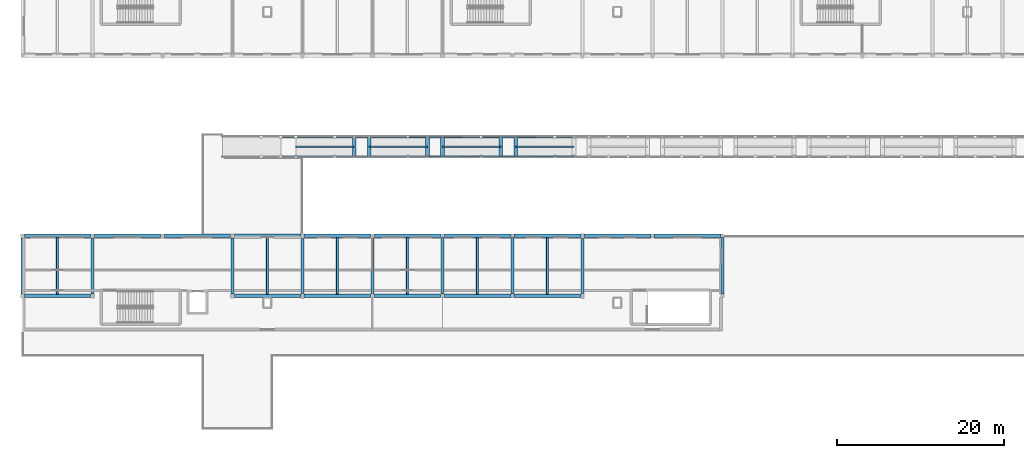
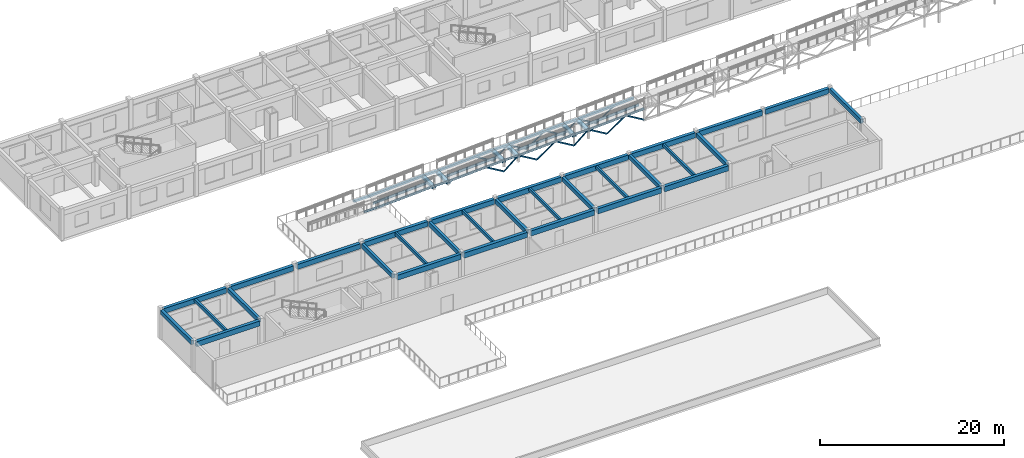
# One storey, part 8 of 41: 41 beams, 33 members.
"""IFC4 building model written with IfcOpenShell, lengths in metres."""

from ifc_helpers import new_model, si_unit, direction, frame, origin, origin_2d, place, context, subcontext, project, spatial, rectangle, hollow_rectangle, i_section, extrude, material, material_profile, profile_set, type_object, element, save


model = new_model("IFC4")

# Units and contexts
model_context = context("Model", 3, precision=1e-05, world=origin(), true_north=direction((0.0, 1.0)))
body_context = subcontext(model_context, "Body", "Model", "MODEL_VIEW")
ifc_project = project(units=[si_unit("LENGTHUNIT", "METRE"), si_unit("AREAUNIT", "SQUARE_METRE"), si_unit("VOLUMEUNIT", "CUBIC_METRE"), si_unit("PLANEANGLEUNIT", "RADIAN"), si_unit("MASSUNIT", "GRAM", prefix="KILO")], contexts=[model_context])

# Site, building, storey
site_placement = place(None, origin())
site = spatial("IfcSite", under=ifc_project, at=site_placement, CompositionType="ELEMENT")
building_placement = place(site_placement, origin())
building = spatial("IfcBuilding", under=site, at=building_placement, Name="Malvenik Polytechnic", CompositionType="ELEMENT")
storey_placement = place(building_placement, frame((0.0, 0.0, 17.699951171875)))
storey = spatial("IfcBuildingStorey", under=building, at=storey_placement, Name="L04", CompositionType="ELEMENT", Elevation=17.699951171875)

# Beams
ifc_material_1 = material(Name="Concrete C35/45", Category="concrete")
ifc_material_profile_1 = material_profile(ifc_material_1, rectangle(XDim=0.39990234375, YDim=0.679931640625, at=origin_2d()), Name="RC BM 400x680")
ifc_profile_set_1 = profile_set([ifc_material_profile_1], Name="Concrete C35/45")
beam_type_1 = type_object("IfcBeamType", Name="STR-BM-B-05", PredefinedType="BEAM", material=ifc_profile_set_1)
beam_1_placement = place(storey_placement, frame((0.248046875, 86.39990234375, 3.580078125), z_axis=(1.0, 0.0, 0.0), x_axis=(0.0, 1.0, 0.0)))
element("IfcBeam", 1, at=beam_1_placement, inside=storey, type_object=beam_type_1, Name="Primary Beam B-05 L04 #1827", PredefinedType="BEAM", context=body_context, shape_type="SweptSolid", body=[
    extrude(rectangle(XDim=0.39990234375, YDim=0.679931640625, at=origin_2d()), origin(), (0.0, 0.0, 1.0), 7.904052734375),
])
beam_2_placement = place(storey_placement, frame((25.447998046875, 86.39990234375, 3.580078125), z_axis=(1.0, 0.0, 0.0), x_axis=(0.0, 1.0, 0.0)))
element("IfcBeam", 2, at=beam_2_placement, inside=storey, type_object=beam_type_1, Name="Primary Beam B-05 L04 #1828", PredefinedType="BEAM", context=body_context, shape_type="SweptSolid", body=[
    extrude(rectangle(XDim=0.39990234375, YDim=0.679931640625, at=origin_2d()), origin(), (0.0, 0.0, 1.0), 7.9541015625),
])
beam_3_placement = place(storey_placement, frame((33.798095703125, 86.39990234375, 3.580078125), z_axis=(1.0, 0.0, 0.0), x_axis=(0.0, 1.0, 0.0)))
element("IfcBeam", 3, at=beam_3_placement, inside=storey, type_object=beam_type_1, Name="Primary Beam B-05 L04 #1829", PredefinedType="BEAM", context=body_context, shape_type="SweptSolid", body=[
    extrude(rectangle(XDim=0.39990234375, YDim=0.679931640625, at=origin_2d()), origin(), (0.0, 0.0, 1.0), 7.97900390625),
])
beam_4_placement = place(storey_placement, frame((42.222900390625, 86.39990234375, 3.580078125), z_axis=(1.0, 0.0, 0.0), x_axis=(0.0, 1.0, 0.0)))
element("IfcBeam", 4, at=beam_4_placement, inside=storey, type_object=beam_type_1, Name="Primary Beam B-05 L04 #1830", PredefinedType="BEAM", context=body_context, shape_type="SweptSolid", body=[
    extrude(rectangle(XDim=0.39990234375, YDim=0.679931640625, at=origin_2d()), origin(), (0.0, 0.0, 1.0), 7.9541015625),
])
beam_5_placement = place(storey_placement, frame((50.623046875, 86.39990234375, 3.580078125), z_axis=(1.0, 0.0, 0.0), x_axis=(0.0, 1.0, 0.0)))
element("IfcBeam", 5, at=beam_5_placement, inside=storey, type_object=beam_type_1, Name="Primary Beam B-05 L04 #1831", PredefinedType="BEAM", context=body_context, shape_type="SweptSolid", body=[
    extrude(rectangle(XDim=0.39990234375, YDim=0.679931640625, at=origin_2d()), origin(), (0.0, 0.0, 1.0), 7.97900390625),
])
beam_6_placement = place(storey_placement, frame((58.998046875, 86.39990234375, 3.580078125), z_axis=(1.0, 0.0, 0.0), x_axis=(0.0, 1.0, 0.0)))
element("IfcBeam", 6, at=beam_6_placement, inside=storey, type_object=beam_type_1, Name="Primary Beam B-05 L04 #1832", PredefinedType="BEAM", context=body_context, shape_type="SweptSolid", body=[
    extrude(rectangle(XDim=0.39990234375, YDim=0.679931640625, at=origin_2d()), origin(), (0.0, 0.0, 1.0), 8.00390625),
])
ifc_material_profile_2 = material_profile(ifc_material_1, rectangle(XDim=0.35009765625, YDim=0.550048828125, at=origin_2d()), Name="RC BM 350x550")
ifc_profile_set_2 = profile_set([ifc_material_profile_2], Name="Concrete C35/45")
beam_type_2 = type_object("IfcBeamType", Name="STR-BM-B-08", PredefinedType="BEAM", material=ifc_profile_set_2)
for number, where, z_axis, x_axis, name in (
    (7, (0.0, 86.64794921875, 3.64501953125), (0.0, 1.0, 0.0), (-1.0, 0.0, 0.0), "Transverse Beam B-08 L04 #1885"),
    (8, (8.39990234375, 86.64794921875, 3.64501953125), (0.0, 1.0, 0.0), (-1.0, 0.0, 0.0), "Transverse Beam B-08 L04 #1888"),
    (9, (25.199951171875, 86.64794921875, 3.64501953125), (0.0, 1.0, 0.0), (-1.0, 0.0, 0.0), "Transverse Beam B-08 L04 #1891"),
):
    element("IfcBeam", number, at=place(storey_placement, frame(where, z_axis=z_axis, x_axis=x_axis)), inside=storey, type_object=beam_type_2, Name=name, PredefinedType="BEAM", context=body_context, shape_type="SweptSolid", body=[
        extrude(rectangle(XDim=0.35009765625, YDim=0.550048828125, at=origin_2d()), origin(), (0.0, 0.0, 1.0), 6.7041015625),
    ])
beam_7_placement = place(storey_placement, frame((33.60009765625, 86.697998046875, 3.64501953125), z_axis=(0.0, 1.0, 0.0), x_axis=(-1.0, 0.0, 0.0)))
element("IfcBeam", 10, at=beam_7_placement, inside=storey, type_object=beam_type_2, Name="Transverse Beam B-08 L04 #1894", PredefinedType="BEAM", context=body_context, shape_type="SweptSolid", body=[
    extrude(rectangle(XDim=0.35009765625, YDim=0.550048828125, at=origin_2d()), origin(), (0.0, 0.0, 1.0), 6.60400390625),
])
for number, where, z_axis, x_axis, name in (
    (11, (42.0, 86.623046875, 3.64501953125), (0.0, 1.0, 0.0), (-1.0, 0.0, 0.0), "Transverse Beam B-08 L04 #1897"),
    (12, (50.39990234375, 86.623046875, 3.64501953125), (0.0, 1.0, 0.0), (-1.0, 0.0, 0.0), "Transverse Beam B-08 L04 #1900"),
):
    element("IfcBeam", number, at=place(storey_placement, frame(where, z_axis=z_axis, x_axis=x_axis)), inside=storey, type_object=beam_type_2, Name=name, PredefinedType="BEAM", context=body_context, shape_type="SweptSolid", body=[
        extrude(rectangle(XDim=0.35009765625, YDim=0.550048828125, at=origin_2d()), origin(), (0.0, 0.0, 1.0), 6.75390625),
    ])
beam_8_placement = place(storey_placement, frame((58.800048828125, 86.597900390625, 3.64501953125), z_axis=(0.0, 1.0, 0.0), x_axis=(-1.0, 0.0, 0.0)))
element("IfcBeam", 13, at=beam_8_placement, inside=storey, type_object=beam_type_2, Name="Transverse Beam B-08 L04 #1903", PredefinedType="BEAM", context=body_context, shape_type="SweptSolid", body=[
    extrude(rectangle(XDim=0.35009765625, YDim=0.550048828125, at=origin_2d()), origin(), (0.0, 0.0, 1.0), 6.80419921875),
])
beam_9_placement = place(storey_placement, frame((67.199951171875, 86.697998046875, 3.64501953125), z_axis=(0.0, 1.0, 0.0), x_axis=(-1.0, 0.0, 0.0)))
element("IfcBeam", 14, at=beam_9_placement, inside=storey, type_object=beam_type_2, Name="Transverse Beam B-08 L04 #1904", PredefinedType="BEAM", context=body_context, shape_type="SweptSolid", body=[
    extrude(rectangle(XDim=0.35009765625, YDim=0.550048828125, at=origin_2d()), origin(), (0.0, 0.0, 1.0), 6.60400390625),
])
beam_10_placement = place(storey_placement, frame((84.0, 86.597900390625, 3.64501953125), z_axis=(0.0, 1.0, 0.0), x_axis=(-1.0, 0.0, 0.0)))
element("IfcBeam", 15, at=beam_10_placement, inside=storey, type_object=beam_type_2, Name="Transverse Beam B-08 L04 #1909", PredefinedType="BEAM", context=body_context, shape_type="SweptSolid", body=[
    extrude(rectangle(XDim=0.35009765625, YDim=0.550048828125, at=origin_2d()), origin(), (0.0, 0.0, 1.0), 6.80419921875),
])
ifc_material_2 = material(Name="Concrete C30/37", Category="concrete")
ifc_material_profile_3 = material_profile(ifc_material_2, rectangle(XDim=0.239990234375, YDim=0.419921875, at=origin_2d()), Name="RC JST 240x420")
ifc_profile_set_3 = profile_set([ifc_material_profile_3], Name="Concrete C30/37")
beam_type_3 = type_object("IfcBeamType", Name="STR-BM-J-03", PredefinedType="JOIST", material=ifc_profile_set_3)
for number, where, z_axis, x_axis, name in (
    (16, (4.199951171875, 86.597900390625, 3.7099609375), (0.0, 1.0, 0.0), (-1.0, 0.0, 0.0), "Secondary Rib Joist J-03 L04 #1922"),
    (17, (29.39990234375, 86.597900390625, 3.7099609375), (0.0, 1.0, 0.0), (-1.0, 0.0, 0.0), "Secondary Rib Joist J-03 L04 #1925"),
    (18, (37.800048828125, 86.597900390625, 3.7099609375), (0.0, 1.0, 0.0), (-1.0, 0.0, 0.0), "Secondary Rib Joist J-03 L04 #1927"),
    (19, (46.199951171875, 86.597900390625, 3.7099609375), (0.0, 1.0, 0.0), (-1.0, 0.0, 0.0), "Secondary Rib Joist J-03 L04 #1930"),
    (20, (54.60009765625, 86.597900390625, 3.7099609375), (0.0, 1.0, 0.0), (-1.0, 0.0, 0.0), "Secondary Rib Joist J-03 L04 #1933"),
    (21, (63.0, 86.597900390625, 3.7099609375), (0.0, 1.0, 0.0), (-1.0, 0.0, 0.0), "Secondary Rib Joist J-03 L04 #1934"),
):
    element("IfcBeam", number, at=place(storey_placement, frame(where, z_axis=z_axis, x_axis=x_axis)), inside=storey, type_object=beam_type_3, Name=name, PredefinedType="JOIST", context=body_context, shape_type="SweptSolid", body=[
        extrude(rectangle(XDim=0.239990234375, YDim=0.419921875, at=origin_2d()), origin(), (0.0, 0.0, 1.0), 6.80419921875),
    ])
ifc_material_3 = material(Name="Steel S355J2H", Category="steel")
ifc_material_profile_4 = material_profile(ifc_material_3, hollow_rectangle(XDim=0.449951171875, YDim=0.300048828125, WallThickness=0.012451171875, at=origin_2d()), Name="RHS 450x300x12.5")
ifc_profile_set_4 = profile_set([ifc_material_profile_4], Name="Steel S355J2H")
beam_type_4 = type_object("IfcBeamType", Name="STR-BM-SB-07", PredefinedType="BEAM", material=ifc_profile_set_4)
for number, where, z_axis, x_axis, name in (
    (22, (39.800048828125, 103.050048828125, 0.33203125), (0.0, 1.0, 0.0), (-1.0, 0.0, 0.0), "Ramp Joint Transom RB-03 #3"),
    (23, (41.60009765625, 103.050048828125, 0.33203125), (0.0, 1.0, 0.0), (-1.0, 0.0, 0.0), "Ramp Joint Transom RB-03 #4"),
    (24, (48.60009765625, 103.050048828125, 0.68212890625), (0.0, 1.0, 0.0), (-1.0, 0.0, 0.0), "Ramp Joint Transom RB-03 #5"),
    (25, (50.39990234375, 103.050048828125, 0.68212890625), (0.0, 1.0, 0.0), (-1.0, 0.0, 0.0), "Ramp Joint Transom RB-03 #6"),
    (26, (57.39990234375, 103.050048828125, 1.031982421875), (0.0, 1.0, 0.0), (-1.0, 0.0, 0.0), "Ramp Joint Transom RB-03 #7"),
    (27, (59.199951171875, 103.050048828125, 1.031982421875), (0.0, 1.0, 0.0), (-1.0, 0.0, 0.0), "Ramp Joint Transom RB-03 #8"),
):
    element("IfcBeam", number, at=place(storey_placement, frame(where, z_axis=z_axis, x_axis=x_axis)), inside=storey, type_object=beam_type_4, Name=name, PredefinedType="BEAM", context=body_context, shape_type="SweptSolid", body=[
        extrude(hollow_rectangle(XDim=0.449951171875, YDim=0.300048828125, WallThickness=0.012451171875, at=origin_2d()), origin(), (0.0, 0.0, 1.0), 2.5),
    ])
ifc_material_4 = material(Name="Steel S355", Category="steel")
ifc_material_profile_5 = material_profile(ifc_material_4, i_section(OverallWidth=0.14990234375, OverallDepth=0.300048828125, WebThickness=0.007080078125, FlangeThickness=0.0107421875, FilletRadius=0.014892578125, at=origin_2d()), Name="IPE 300")
ifc_profile_set_5 = profile_set([ifc_material_profile_5], Name="Steel S355")
beam_type_5 = type_object("IfcBeamType", Name="STR-BM-SB-09", PredefinedType="JOIST", material=ifc_profile_set_5)
for number, where, z_axis, x_axis, name in (
    (28, (32.800048828125, 104.300048828125, -0.074951171875), (0.998751643845, 0.0, 0.049951515669), (0.0, 1.0, 0.0), "Ramp Centreline Stringer RB-03 #2"),
    (29, (41.60009765625, 104.300048828125, 0.275146484375), (0.998753381067, 0.0, 0.049916768801), (0.0, 1.0, 0.0), "Ramp Centreline Stringer RB-03 #4"),
    (30, (50.39990234375, 104.300048828125, 0.625), (0.998751643845, 0.0, 0.049951515669), (0.0, 1.0, 0.0), "Ramp Centreline Stringer RB-03 #6"),
    (31, (59.199951171875, 104.300048828125, 0.97509765625), (0.998753381067, 0.0, 0.049916768801), (0.0, 1.0, 0.0), "Ramp Centreline Stringer RB-03 #8"),
):
    element("IfcBeam", number, at=place(storey_placement, frame(where, z_axis=z_axis, x_axis=x_axis)), inside=storey, type_object=beam_type_5, Name=name, PredefinedType="JOIST", context=body_context, shape_type="SweptSolid", body=[
        extrude(i_section(OverallWidth=0.14990234375, OverallDepth=0.300048828125, WebThickness=0.007080078125, FlangeThickness=0.0107421875, FilletRadius=0.014892578125, at=origin_2d()), origin(), (0.0, 0.0, 1.0), 7.0087890625),
    ])
ifc_material_5 = material(Name="Precast concrete C40/50", Category="concrete")
ifc_material_profile_6 = material_profile(ifc_material_5, rectangle(XDim=0.39990234375, YDim=0.659912109375, at=origin_2d()), Name="PC SPN 400x660")
ifc_profile_set_6 = profile_set([ifc_material_profile_6], Name="Precast concrete C40/50")
beam_type_6 = type_object("IfcBeamType", Name="STR-BM-SP-03", PredefinedType="SPANDREL", material=ifc_profile_set_6)
for number, where, z_axis, x_axis, name in (
    (32, (0.248046875, 93.60009765625, 3.590087890625), (1.0, 0.0, 0.0), (0.0, 1.0, 0.0), "Primary Beam SP-03 L04 #1833"),
    (33, (8.64794921875, 93.60009765625, 3.590087890625), (1.0, 0.0, 0.0), (0.0, 1.0, 0.0), "Primary Beam SP-03 L04 #1834"),
):
    element("IfcBeam", number, at=place(storey_placement, frame(where, z_axis=z_axis, x_axis=x_axis)), inside=storey, type_object=beam_type_6, Name=name, PredefinedType="SPANDREL", context=body_context, shape_type="SweptSolid", body=[
        extrude(rectangle(XDim=0.39990234375, YDim=0.659912109375, at=origin_2d()), origin(), (0.0, 0.0, 1.0), 7.904052734375),
    ])
beam_11_placement = place(storey_placement, frame((17.048095703125, 93.60009765625, 3.590087890625), z_axis=(1.0, 0.0, 0.0), x_axis=(0.0, 1.0, 0.0)))
element("IfcBeam", 34, at=beam_11_placement, inside=storey, type_object=beam_type_6, Name="Primary Beam SP-03 L04 #1835", PredefinedType="SPANDREL", context=body_context, shape_type="SweptSolid", body=[
    extrude(rectangle(XDim=0.39990234375, YDim=0.659912109375, at=origin_2d()), origin(), (0.0, 0.0, 1.0), 7.90380859375),
])
beam_12_placement = place(storey_placement, frame((25.447998046875, 93.60009765625, 3.590087890625), z_axis=(1.0, 0.0, 0.0), x_axis=(0.0, 1.0, 0.0)))
element("IfcBeam", 35, at=beam_12_placement, inside=storey, type_object=beam_type_6, Name="Primary Beam SP-03 L04 #1836", PredefinedType="SPANDREL", context=body_context, shape_type="SweptSolid", body=[
    extrude(rectangle(XDim=0.39990234375, YDim=0.659912109375, at=origin_2d()), origin(), (0.0, 0.0, 1.0), 7.9541015625),
])
beam_13_placement = place(storey_placement, frame((33.798095703125, 93.60009765625, 3.590087890625), z_axis=(1.0, 0.0, 0.0), x_axis=(0.0, 1.0, 0.0)))
element("IfcBeam", 36, at=beam_13_placement, inside=storey, type_object=beam_type_6, Name="Primary Beam SP-03 L04 #1837", PredefinedType="SPANDREL", context=body_context, shape_type="SweptSolid", body=[
    extrude(rectangle(XDim=0.39990234375, YDim=0.659912109375, at=origin_2d()), origin(), (0.0, 0.0, 1.0), 7.97900390625),
])
beam_14_placement = place(storey_placement, frame((42.222900390625, 93.60009765625, 3.590087890625), z_axis=(1.0, 0.0, 0.0), x_axis=(0.0, 1.0, 0.0)))
element("IfcBeam", 37, at=beam_14_placement, inside=storey, type_object=beam_type_6, Name="Primary Beam SP-03 L04 #1838", PredefinedType="SPANDREL", context=body_context, shape_type="SweptSolid", body=[
    extrude(rectangle(XDim=0.39990234375, YDim=0.659912109375, at=origin_2d()), origin(), (0.0, 0.0, 1.0), 7.9541015625),
])
beam_15_placement = place(storey_placement, frame((50.623046875, 93.60009765625, 3.590087890625), z_axis=(1.0, 0.0, 0.0), x_axis=(0.0, 1.0, 0.0)))
element("IfcBeam", 38, at=beam_15_placement, inside=storey, type_object=beam_type_6, Name="Primary Beam SP-03 L04 #1839", PredefinedType="SPANDREL", context=body_context, shape_type="SweptSolid", body=[
    extrude(rectangle(XDim=0.39990234375, YDim=0.659912109375, at=origin_2d()), origin(), (0.0, 0.0, 1.0), 7.97900390625),
])
beam_16_placement = place(storey_placement, frame((58.998046875, 93.60009765625, 3.590087890625), z_axis=(1.0, 0.0, 0.0), x_axis=(0.0, 1.0, 0.0)))
element("IfcBeam", 39, at=beam_16_placement, inside=storey, type_object=beam_type_6, Name="Primary Beam SP-03 L04 #1840", PredefinedType="SPANDREL", context=body_context, shape_type="SweptSolid", body=[
    extrude(rectangle(XDim=0.39990234375, YDim=0.659912109375, at=origin_2d()), origin(), (0.0, 0.0, 1.0), 8.00390625),
])
beam_17_placement = place(storey_placement, frame((67.39794921875, 93.60009765625, 3.590087890625), z_axis=(1.0, 0.0, 0.0), x_axis=(0.0, 1.0, 0.0)))
element("IfcBeam", 40, at=beam_17_placement, inside=storey, type_object=beam_type_6, Name="Primary Beam SP-03 L04 #1841", PredefinedType="SPANDREL", context=body_context, shape_type="SweptSolid", body=[
    extrude(rectangle(XDim=0.39990234375, YDim=0.659912109375, at=origin_2d()), origin(), (0.0, 0.0, 1.0), 8.004150390625),
])
beam_18_placement = place(storey_placement, frame((75.798095703125, 93.60009765625, 3.590087890625), z_axis=(1.0, 0.0, 0.0), x_axis=(0.0, 1.0, 0.0)))
element("IfcBeam", 41, at=beam_18_placement, inside=storey, type_object=beam_type_6, Name="Primary Beam SP-03 L04 #1842", PredefinedType="SPANDREL", context=body_context, shape_type="SweptSolid", body=[
    extrude(rectangle(XDim=0.39990234375, YDim=0.659912109375, at=origin_2d()), origin(), (0.0, 0.0, 1.0), 8.00390625),
])

# Members
ifc_material_profile_7 = material_profile(ifc_material_3, hollow_rectangle(XDim=0.14990234375, YDim=0.14990234375, WallThickness=0.008056640625, at=origin_2d()), Name="SHS 150x150x8.0")
ifc_profile_set_7 = profile_set([ifc_material_profile_7], Name="Steel S355J2H")
member_type_1 = type_object("IfcMemberType", Name="STR-MEM-TRD-01", PredefinedType="BRACE", material=ifc_profile_set_7)
for number, where, z_axis, x_axis, name in (
    (42, (46.27001953125, 103.14990234375, 0.71142578125), (0.860188884219, 0.0, -0.509975571441), (0.0, 1.0, 0.0), "Space-Frame Tube TRD-01 STR-TRD-03-RB-03-1-04"),
    (43, (50.4033203125, 103.14990234375, 0.828125), (0.860188884219, 0.0, -0.509975571441), (0.0, 1.0, 0.0), "Space-Frame Tube TRD-01 STR-TRD-01-RB-03-1-06"),
):
    element("IfcMember", number, at=place(storey_placement, frame(where, z_axis=z_axis, x_axis=x_axis)), inside=storey, type_object=member_type_1, Name=name, PredefinedType="BRACE", context=body_context, shape_type="SweptSolid", body=[
        extrude(hollow_rectangle(XDim=0.14990234375, YDim=0.14990234375, WallThickness=0.008056640625, at=origin_2d()), origin(), (0.0, 0.0, 1.0), 2.704833984375),
    ])
for number, where, z_axis, x_axis, name in (
    (44, (55.070068359375, 103.14990234375, 1.061279296875), (0.860205006447, 0.0, -0.509948376684), (0.0, 1.0, 0.0), "Space-Frame Tube TRD-01 STR-TRD-03-RB-03-1-06"),
    (45, (59.203369140625, 103.14990234375, 1.177978515625), (0.860205006447, 0.0, -0.509948376684), (0.0, 1.0, 0.0), "Space-Frame Tube TRD-01 STR-TRD-01-RB-03-1-08"),
    (46, (63.8701171875, 103.14990234375, 1.411376953125), (0.860165406805, 0.0, -0.51001516932), (0.0, 1.0, 0.0), "Space-Frame Tube TRD-01 STR-TRD-03-RB-03-1-08"),
):
    element("IfcMember", number, at=place(storey_placement, frame(where, z_axis=z_axis, x_axis=x_axis)), inside=storey, type_object=member_type_1, Name=name, PredefinedType="BRACE", context=body_context, shape_type="SweptSolid", body=[
        extrude(hollow_rectangle(XDim=0.14990234375, YDim=0.14990234375, WallThickness=0.008056640625, at=origin_2d()), origin(), (0.0, 0.0, 1.0), 2.70458984375),
    ])
for number, where, z_axis, x_axis, name in (
    (47, (46.27001953125, 105.449951171875, 0.71142578125), (0.860188884219, 0.0, -0.509975571441), (0.0, 1.0, 0.0), "Space-Frame Tube TRD-01 STR-TRD-03-RB-03-2-04"),
    (48, (50.4033203125, 105.449951171875, 0.828125), (0.860188884219, 0.0, -0.509975571441), (0.0, 1.0, 0.0), "Space-Frame Tube TRD-01 STR-TRD-01-RB-03-2-06"),
):
    element("IfcMember", number, at=place(storey_placement, frame(where, z_axis=z_axis, x_axis=x_axis)), inside=storey, type_object=member_type_1, Name=name, PredefinedType="BRACE", context=body_context, shape_type="SweptSolid", body=[
        extrude(hollow_rectangle(XDim=0.14990234375, YDim=0.14990234375, WallThickness=0.008056640625, at=origin_2d()), origin(), (0.0, 0.0, 1.0), 2.704833984375),
    ])
for number, where, z_axis, x_axis, name in (
    (49, (55.070068359375, 105.449951171875, 1.061279296875), (0.860205006447, 0.0, -0.509948376684), (0.0, 1.0, 0.0), "Space-Frame Tube TRD-01 STR-TRD-03-RB-03-2-06"),
    (50, (59.203369140625, 105.449951171875, 1.177978515625), (0.860205006447, 0.0, -0.509948376684), (0.0, 1.0, 0.0), "Space-Frame Tube TRD-01 STR-TRD-01-RB-03-2-08"),
):
    element("IfcMember", number, at=place(storey_placement, frame(where, z_axis=z_axis, x_axis=x_axis)), inside=storey, type_object=member_type_1, Name=name, PredefinedType="BRACE", context=body_context, shape_type="SweptSolid", body=[
        extrude(hollow_rectangle(XDim=0.14990234375, YDim=0.14990234375, WallThickness=0.008056640625, at=origin_2d()), origin(), (0.0, 0.0, 1.0), 2.70458984375),
    ])
ifc_material_profile_8 = material_profile(ifc_material_3, hollow_rectangle(XDim=0.1201171875, YDim=0.1201171875, WallThickness=0.00634765625, at=origin_2d()), Name="SHS 120x120x6.3")
ifc_profile_set_8 = profile_set([ifc_material_profile_8], Name="Steel S355J2H")
member_type_2 = type_object("IfcMemberType", Name="STR-MEM-TRD-02", PredefinedType="BRACE", material=ifc_profile_set_8)
member_1_placement = place(storey_placement, frame((48.60302734375, 103.14990234375, -0.667236328125), z_axis=(0.768289837605, 0.0, 0.640102121097), x_axis=(0.0, 1.0, 0.0)))
element("IfcMember", 51, at=member_1_placement, inside=storey, type_object=member_type_2, Name="Space-Frame Tube TRD-02 STR-TR-DGL-RB-03-1-05", PredefinedType="BRACE", context=body_context, shape_type="SweptSolid", body=[
    extrude(hollow_rectangle(XDim=0.1201171875, YDim=0.1201171875, WallThickness=0.00634765625, at=origin_2d()), origin(), (0.0, 0.0, 1.0), 2.3349609375),
])
member_2_placement = place(storey_placement, frame((52.736572265625, 103.14990234375, -0.551025390625), z_axis=(0.822005857331, 0.0, 0.569479034305), x_axis=(0.0, 1.0, 0.0)))
element("IfcMember", 52, at=member_2_placement, inside=storey, type_object=member_type_2, Name="Space-Frame Tube TRD-02 STR-TRD-02-RB-03-1-06", PredefinedType="BRACE", context=body_context, shape_type="SweptSolid", body=[
    extrude(hollow_rectangle(XDim=0.1201171875, YDim=0.1201171875, WallThickness=0.00634765625, at=origin_2d()), origin(), (0.0, 0.0, 1.0), 2.830810546875),
])
member_3_placement = place(storey_placement, frame((57.403076171875, 103.14990234375, -0.3173828125), z_axis=(0.768238418778, 0.0, 0.640163832088), x_axis=(0.0, 1.0, 0.0)))
element("IfcMember", 53, at=member_3_placement, inside=storey, type_object=member_type_2, Name="Space-Frame Tube TRD-02 STR-TR-DGL-RB-03-1-07", PredefinedType="BRACE", context=body_context, shape_type="SweptSolid", body=[
    extrude(hollow_rectangle(XDim=0.1201171875, YDim=0.1201171875, WallThickness=0.00634765625, at=origin_2d()), origin(), (0.0, 0.0, 1.0), 2.335205078125),
])
member_4_placement = place(storey_placement, frame((61.53662109375, 103.14990234375, -0.200927734375), z_axis=(0.821977884392, 0.0, 0.569519409301), x_axis=(0.0, 1.0, 0.0)))
element("IfcMember", 54, at=member_4_placement, inside=storey, type_object=member_type_2, Name="Space-Frame Tube TRD-02 STR-TRD-02-RB-03-1-08", PredefinedType="BRACE", context=body_context, shape_type="SweptSolid", body=[
    extrude(hollow_rectangle(XDim=0.1201171875, YDim=0.1201171875, WallThickness=0.00634765625, at=origin_2d()), origin(), (0.0, 0.0, 1.0), 2.83056640625),
])
member_5_placement = place(storey_placement, frame((48.60302734375, 105.449951171875, -0.667236328125), z_axis=(0.768289837605, 0.0, 0.640102121097), x_axis=(0.0, 1.0, 0.0)))
element("IfcMember", 55, at=member_5_placement, inside=storey, type_object=member_type_2, Name="Space-Frame Tube TRD-02 STR-TR-DGL-RB-03-2-05", PredefinedType="BRACE", context=body_context, shape_type="SweptSolid", body=[
    extrude(hollow_rectangle(XDim=0.1201171875, YDim=0.1201171875, WallThickness=0.00634765625, at=origin_2d()), origin(), (0.0, 0.0, 1.0), 2.3349609375),
])
member_6_placement = place(storey_placement, frame((52.736572265625, 105.449951171875, -0.551025390625), z_axis=(0.822005857331, 0.0, 0.569479034305), x_axis=(0.0, 1.0, 0.0)))
element("IfcMember", 56, at=member_6_placement, inside=storey, type_object=member_type_2, Name="Space-Frame Tube TRD-02 STR-TRD-02-RB-03-2-06", PredefinedType="BRACE", context=body_context, shape_type="SweptSolid", body=[
    extrude(hollow_rectangle(XDim=0.1201171875, YDim=0.1201171875, WallThickness=0.00634765625, at=origin_2d()), origin(), (0.0, 0.0, 1.0), 2.830810546875),
])
member_7_placement = place(storey_placement, frame((57.403076171875, 105.449951171875, -0.3173828125), z_axis=(0.768238418778, 0.0, 0.640163832088), x_axis=(0.0, 1.0, 0.0)))
element("IfcMember", 57, at=member_7_placement, inside=storey, type_object=member_type_2, Name="Space-Frame Tube TRD-02 STR-TR-DGL-RB-03-2-07", PredefinedType="BRACE", context=body_context, shape_type="SweptSolid", body=[
    extrude(hollow_rectangle(XDim=0.1201171875, YDim=0.1201171875, WallThickness=0.00634765625, at=origin_2d()), origin(), (0.0, 0.0, 1.0), 2.335205078125),
])
member_8_placement = place(storey_placement, frame((61.53662109375, 105.449951171875, -0.200927734375), z_axis=(0.821977884392, 0.0, 0.569519409301), x_axis=(0.0, 1.0, 0.0)))
element("IfcMember", 58, at=member_8_placement, inside=storey, type_object=member_type_2, Name="Space-Frame Tube TRD-02 STR-TRD-02-RB-03-2-08", PredefinedType="BRACE", context=body_context, shape_type="SweptSolid", body=[
    extrude(hollow_rectangle(XDim=0.1201171875, YDim=0.1201171875, WallThickness=0.00634765625, at=origin_2d()), origin(), (0.0, 0.0, 1.0), 2.83056640625),
])
ifc_material_profile_9 = material_profile(ifc_material_3, hollow_rectangle(XDim=0.199951171875, YDim=0.199951171875, WallThickness=0.010009765625, at=origin_2d()), Name="SHS 200x200x10.0")
ifc_profile_set_9 = profile_set([ifc_material_profile_9], Name="Steel S355J2H")
member_type_3 = type_object("IfcMemberType", Name="STR-MEM-TRT-01", PredefinedType="CHORD", material=ifc_profile_set_9)
member_9_placement = place(storey_placement, frame((31.00390625, 103.14990234375, 0.130126953125), z_axis=(1.0, 0.0, 0.0), x_axis=(0.0, 1.0, 0.0)))
element("IfcMember", 59, at=member_9_placement, inside=storey, type_object=member_type_3, Name="Space-Frame Tube TRT-01 STR-TR-TC-RB-03-1-01", PredefinedType="CHORD", context=body_context, shape_type="SweptSolid", body=[
    extrude(hollow_rectangle(XDim=0.199951171875, YDim=0.199951171875, WallThickness=0.010009765625, at=origin_2d()), origin(), (0.0, 0.0, 1.0), 1.7919921875),
])
member_10_placement = place(storey_placement, frame((32.803955078125, 103.14990234375, 0.130126953125), z_axis=(0.998752251909, 0.0, 0.049939356288), x_axis=(0.0, 1.0, 0.0)))
element("IfcMember", 60, at=member_10_placement, inside=storey, type_object=member_type_3, Name="Space-Frame Tube TRT-01 STR-TR-TC-RB-03-1-02", PredefinedType="CHORD", context=body_context, shape_type="SweptSolid", body=[
    extrude(hollow_rectangle(XDim=0.199951171875, YDim=0.199951171875, WallThickness=0.010009765625, at=origin_2d()), origin(), (0.0, 0.0, 1.0), 7.000732421875),
])
member_11_placement = place(storey_placement, frame((39.803955078125, 103.14990234375, 0.47998046875), z_axis=(1.0, 0.0, 0.0), x_axis=(0.0, 1.0, 0.0)))
element("IfcMember", 61, at=member_11_placement, inside=storey, type_object=member_type_3, Name="Space-Frame Tube TRT-01 STR-TR-TC-RB-03-1-03", PredefinedType="CHORD", context=body_context, shape_type="SweptSolid", body=[
    extrude(hollow_rectangle(XDim=0.199951171875, YDim=0.199951171875, WallThickness=0.010009765625, at=origin_2d()), origin(), (0.0, 0.0, 1.0), 1.7919921875),
])
member_12_placement = place(storey_placement, frame((41.60400390625, 103.14990234375, 0.480224609375), z_axis=(0.998752251909, 0.0, 0.049939356288), x_axis=(0.0, 1.0, 0.0)))
element("IfcMember", 62, at=member_12_placement, inside=storey, type_object=member_type_3, Name="Space-Frame Tube TRT-01 STR-TR-TC-RB-03-1-04", PredefinedType="CHORD", context=body_context, shape_type="SweptSolid", body=[
    extrude(hollow_rectangle(XDim=0.199951171875, YDim=0.199951171875, WallThickness=0.010009765625, at=origin_2d()), origin(), (0.0, 0.0, 1.0), 7.000732421875),
])
member_13_placement = place(storey_placement, frame((48.60400390625, 103.14990234375, 0.830078125), z_axis=(1.0, 0.0, 0.0), x_axis=(0.0, 1.0, 0.0)))
element("IfcMember", 63, at=member_13_placement, inside=storey, type_object=member_type_3, Name="Space-Frame Tube TRT-01 STR-TR-TC-RB-03-1-05", PredefinedType="CHORD", context=body_context, shape_type="SweptSolid", body=[
    extrude(hollow_rectangle(XDim=0.199951171875, YDim=0.199951171875, WallThickness=0.010009765625, at=origin_2d()), origin(), (0.0, 0.0, 1.0), 1.7919921875),
])
member_14_placement = place(storey_placement, frame((50.404052734375, 103.14990234375, 0.830322265625), z_axis=(0.998752251909, 0.0, 0.049939356288), x_axis=(0.0, 1.0, 0.0)))
element("IfcMember", 64, at=member_14_placement, inside=storey, type_object=member_type_3, Name="Space-Frame Tube TRT-01 STR-TR-TC-RB-03-1-06", PredefinedType="CHORD", context=body_context, shape_type="SweptSolid", body=[
    extrude(hollow_rectangle(XDim=0.199951171875, YDim=0.199951171875, WallThickness=0.010009765625, at=origin_2d()), origin(), (0.0, 0.0, 1.0), 7.000732421875),
])
member_15_placement = place(storey_placement, frame((57.404052734375, 103.14990234375, 1.179931640625), z_axis=(1.0, 0.0, 0.0), x_axis=(0.0, 1.0, 0.0)))
element("IfcMember", 65, at=member_15_placement, inside=storey, type_object=member_type_3, Name="Space-Frame Tube TRT-01 STR-TR-TC-RB-03-1-07", PredefinedType="CHORD", context=body_context, shape_type="SweptSolid", body=[
    extrude(hollow_rectangle(XDim=0.199951171875, YDim=0.199951171875, WallThickness=0.010009765625, at=origin_2d()), origin(), (0.0, 0.0, 1.0), 1.7919921875),
])
member_16_placement = place(storey_placement, frame((59.2041015625, 103.14990234375, 1.18017578125), z_axis=(0.998752251909, 0.0, 0.049939356288), x_axis=(0.0, 1.0, 0.0)))
element("IfcMember", 66, at=member_16_placement, inside=storey, type_object=member_type_3, Name="Space-Frame Tube TRT-01 STR-TR-TC-RB-03-1-08", PredefinedType="CHORD", context=body_context, shape_type="SweptSolid", body=[
    extrude(hollow_rectangle(XDim=0.199951171875, YDim=0.199951171875, WallThickness=0.010009765625, at=origin_2d()), origin(), (0.0, 0.0, 1.0), 7.000732421875),
])
ifc_material_profile_10 = material_profile(ifc_material_3, hollow_rectangle(XDim=0.25, YDim=0.25, WallThickness=0.010009765625, at=origin_2d()), Name="SHS 250x250x10.0")
ifc_profile_set_10 = profile_set([ifc_material_profile_10], Name="Steel S355J2H")
member_type_4 = type_object("IfcMemberType", Name="STR-MEM-TRT-02", PredefinedType="CHORD", material=ifc_profile_set_10)
member_17_placement = place(storey_placement, frame((31.00390625, 105.449951171875, 0.130126953125), z_axis=(1.0, 0.0, 0.0), x_axis=(0.0, 1.0, 0.0)))
element("IfcMember", 67, at=member_17_placement, inside=storey, type_object=member_type_4, Name="Space-Frame Tube TRT-02 STR-TR-TC-RB-03-2-01", PredefinedType="CHORD", context=body_context, shape_type="SweptSolid", body=[
    extrude(hollow_rectangle(XDim=0.25, YDim=0.25, WallThickness=0.010009765625, at=origin_2d()), origin(), (0.0, 0.0, 1.0), 1.7919921875),
])
member_18_placement = place(storey_placement, frame((32.803955078125, 105.449951171875, 0.130126953125), z_axis=(0.998752251909, 0.0, 0.049939356288), x_axis=(0.0, 1.0, 0.0)))
element("IfcMember", 68, at=member_18_placement, inside=storey, type_object=member_type_4, Name="Space-Frame Tube TRT-02 STR-TR-TC-RB-03-2-02", PredefinedType="CHORD", context=body_context, shape_type="SweptSolid", body=[
    extrude(hollow_rectangle(XDim=0.25, YDim=0.25, WallThickness=0.010009765625, at=origin_2d()), origin(), (0.0, 0.0, 1.0), 7.000732421875),
])
member_19_placement = place(storey_placement, frame((39.803955078125, 105.449951171875, 0.47998046875), z_axis=(1.0, 0.0, 0.0), x_axis=(0.0, 1.0, 0.0)))
element("IfcMember", 69, at=member_19_placement, inside=storey, type_object=member_type_4, Name="Space-Frame Tube TRT-02 STR-TR-TC-RB-03-2-03", PredefinedType="CHORD", context=body_context, shape_type="SweptSolid", body=[
    extrude(hollow_rectangle(XDim=0.25, YDim=0.25, WallThickness=0.010009765625, at=origin_2d()), origin(), (0.0, 0.0, 1.0), 1.7919921875),
])
member_20_placement = place(storey_placement, frame((41.60400390625, 105.449951171875, 0.480224609375), z_axis=(0.998752251909, 0.0, 0.049939356288), x_axis=(0.0, 1.0, 0.0)))
element("IfcMember", 70, at=member_20_placement, inside=storey, type_object=member_type_4, Name="Space-Frame Tube TRT-02 STR-TR-TC-RB-03-2-04", PredefinedType="CHORD", context=body_context, shape_type="SweptSolid", body=[
    extrude(hollow_rectangle(XDim=0.25, YDim=0.25, WallThickness=0.010009765625, at=origin_2d()), origin(), (0.0, 0.0, 1.0), 7.000732421875),
])
member_21_placement = place(storey_placement, frame((48.60400390625, 105.449951171875, 0.830078125), z_axis=(1.0, 0.0, 0.0), x_axis=(0.0, 1.0, 0.0)))
element("IfcMember", 71, at=member_21_placement, inside=storey, type_object=member_type_4, Name="Space-Frame Tube TRT-02 STR-TR-TC-RB-03-2-05", PredefinedType="CHORD", context=body_context, shape_type="SweptSolid", body=[
    extrude(hollow_rectangle(XDim=0.25, YDim=0.25, WallThickness=0.010009765625, at=origin_2d()), origin(), (0.0, 0.0, 1.0), 1.7919921875),
])
member_22_placement = place(storey_placement, frame((50.404052734375, 105.449951171875, 0.830322265625), z_axis=(0.998752251909, 0.0, 0.049939356288), x_axis=(0.0, 1.0, 0.0)))
element("IfcMember", 72, at=member_22_placement, inside=storey, type_object=member_type_4, Name="Space-Frame Tube TRT-02 STR-TR-TC-RB-03-2-06", PredefinedType="CHORD", context=body_context, shape_type="SweptSolid", body=[
    extrude(hollow_rectangle(XDim=0.25, YDim=0.25, WallThickness=0.010009765625, at=origin_2d()), origin(), (0.0, 0.0, 1.0), 7.000732421875),
])
member_23_placement = place(storey_placement, frame((57.404052734375, 105.449951171875, 1.179931640625), z_axis=(1.0, 0.0, 0.0), x_axis=(0.0, 1.0, 0.0)))
element("IfcMember", 73, at=member_23_placement, inside=storey, type_object=member_type_4, Name="Space-Frame Tube TRT-02 STR-TR-TC-RB-03-2-07", PredefinedType="CHORD", context=body_context, shape_type="SweptSolid", body=[
    extrude(hollow_rectangle(XDim=0.25, YDim=0.25, WallThickness=0.010009765625, at=origin_2d()), origin(), (0.0, 0.0, 1.0), 1.7919921875),
])
member_24_placement = place(storey_placement, frame((59.2041015625, 105.449951171875, 1.18017578125), z_axis=(0.998752251909, 0.0, 0.049939356288), x_axis=(0.0, 1.0, 0.0)))
element("IfcMember", 74, at=member_24_placement, inside=storey, type_object=member_type_4, Name="Space-Frame Tube TRT-02 STR-TR-TC-RB-03-2-08", PredefinedType="CHORD", context=body_context, shape_type="SweptSolid", body=[
    extrude(hollow_rectangle(XDim=0.25, YDim=0.25, WallThickness=0.010009765625, at=origin_2d()), origin(), (0.0, 0.0, 1.0), 7.000732421875),
])

save(model, "model.ifc")
